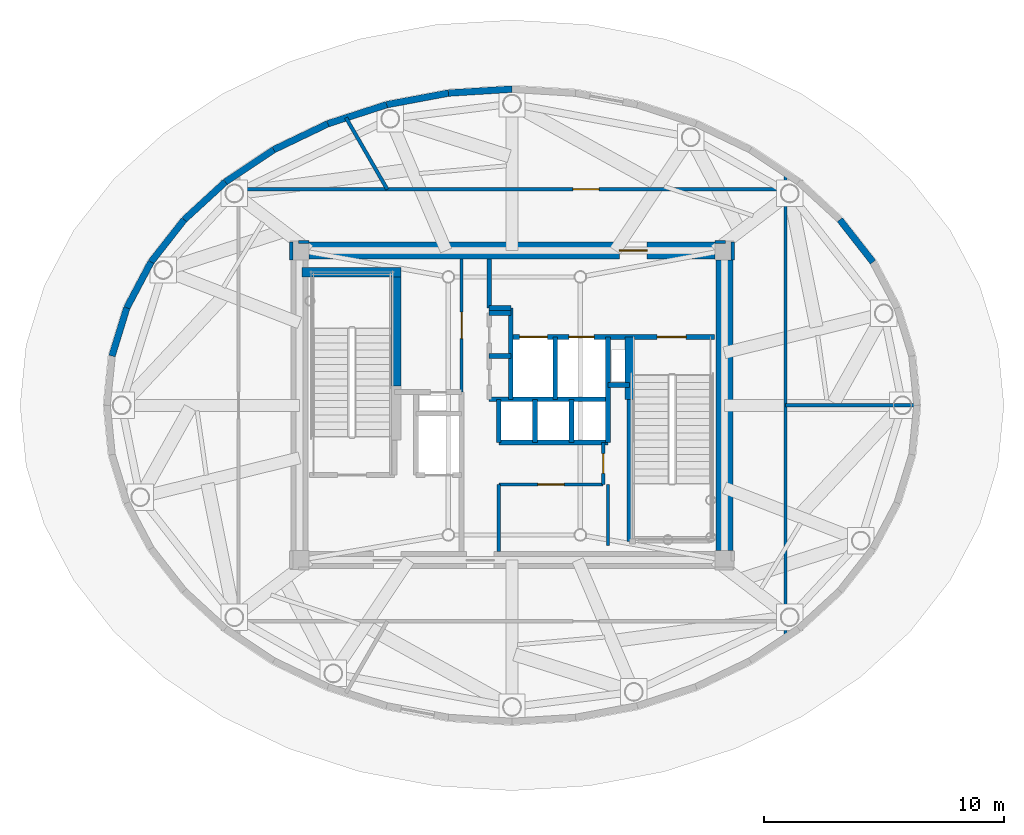
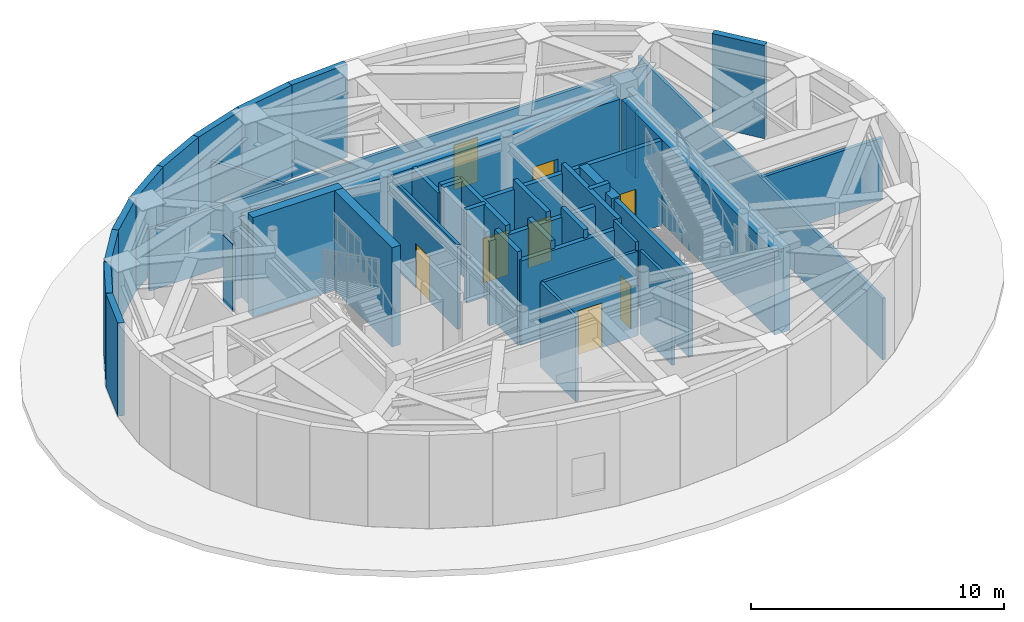
# One storey, part 4 of 11: 43 walls, 8 doors, 8 openings.
"""IFC4 building model written with IfcOpenShell, lengths in metres."""

from ifc_helpers import new_model, si_unit, direction, frame, frame_2d, origin, origin_2d, place, context, subcontext, project, spatial, rectangle, extrude, source, transform, mapped, material, layer, layer_set, type_object, element, fill, save


model = new_model("IFC4")

# Units and contexts
model_context = context("Model", 3, precision=1e-05, world=origin(), true_north=direction((0.0, 1.0)))
body_context = subcontext(model_context, "Body", "Model", "MODEL_VIEW")
ifc_project = project(units=[si_unit("LENGTHUNIT", "METRE"), si_unit("AREAUNIT", "SQUARE_METRE"), si_unit("VOLUMEUNIT", "CUBIC_METRE"), si_unit("PLANEANGLEUNIT", "RADIAN"), si_unit("MASSUNIT", "GRAM", prefix="KILO")], contexts=[model_context])

# Site, building, storey
site_placement = place(None, origin())
site = spatial("IfcSite", under=ifc_project, at=site_placement, CompositionType="ELEMENT")
building_placement = place(site_placement, origin())
building = spatial("IfcBuilding", under=site, at=building_placement, Name="Linh Dai School and Residence Tower", CompositionType="ELEMENT")
storey_placement = place(building_placement, frame((0.0, 0.0, 363.60009765625)))
storey = spatial("IfcBuildingStorey", under=building, at=storey_placement, Name="L90", CompositionType="ELEMENT", Elevation=363.60009765625)

# Walls
ifc_material_1 = material(Name="Concrete B45 (C35/45)", Category="concrete")
ifc_layer_1 = layer(ifc_material_1, 0.280029296875)
ifc_layer_set_1 = layer_set([ifc_layer_1], Name="Concrete B45 (C35/45)")
wall_type_1 = type_object("IfcWallType", Name="EW-DRM-280", PredefinedType="SOLIDWALL", material=ifc_layer_set_1)
wall_1_placement = place(storey_placement, frame((49.66162109375, 34.732421875, 0.0), z_axis=(0.0, 0.0, 1.0), x_axis=(0.61673743222, -0.787168939745, 0.0)))
element("IfcWall", 1, at=wall_1_placement, inside=storey, type_object=wall_type_1, Name="L90 Terracotta Exterior Wall 04", PredefinedType="SOLIDWALL", context=body_context, shape_type="SweptSolid", body=[
    extrude(rectangle(XDim=2.239013671875, YDim=0.280029296875, at=frame_2d((1.11962890625, 0.0))), origin(), (0.0, 0.0, 1.0), 4.5),
])
wall_2_placement = place(storey_placement, frame((33.35595703125, 40.01220703125, 0.0), z_axis=(0.0, 0.0, 1.0), x_axis=(0.998108826348, 0.061471707034, 0.0)))
element("IfcWall", 2, at=wall_2_placement, inside=storey, type_object=wall_type_1, Name="L90 Terracotta Exterior Wall 11", PredefinedType="SOLIDWALL", context=body_context, shape_type="SweptSolid", body=[
    extrude(rectangle(XDim=2.649169921875, YDim=0.280029296875, at=frame_2d((1.32470703125, 0.0))), origin(), (0.0, 0.0, 1.0), 4.5),
])
wall_3_placement = place(storey_placement, frame((30.777587890625, 39.52783203125, 0.0), z_axis=(0.0, 0.0, 1.0), x_axis=(0.982807863021, 0.184631266001, 0.0)))
element("IfcWall", 3, at=wall_3_placement, inside=storey, type_object=wall_type_1, Name="L90 Terracotta Exterior Wall 12", PredefinedType="SOLIDWALL", context=body_context, shape_type="SweptSolid", body=[
    extrude(rectangle(XDim=2.62353515625, YDim=0.280029296875, at=frame_2d((1.311767578125, 0.0))), origin(), (0.0, 0.0, 1.0), 4.5),
])
wall_4_placement = place(storey_placement, frame((28.328369140625, 38.734375, 0.0), z_axis=(0.0, 0.0, 1.0), x_axis=(0.951323551321, 0.308193933592, 0.0)))
element("IfcWall", 4, at=wall_4_placement, inside=storey, type_object=wall_type_1, Name="L90 Terracotta Exterior Wall 13", PredefinedType="SOLIDWALL", context=body_context, shape_type="SweptSolid", body=[
    extrude(rectangle(XDim=2.574462890625, YDim=0.280029296875, at=frame_2d((1.287109375, 0.0))), origin(), (0.0, 0.0, 1.0), 4.5),
])
wall_5_placement = place(storey_placement, frame((26.0693359375, 37.6513671875, 0.0), z_axis=(0.0, 0.0, 1.0), x_axis=(0.901729772184, 0.432300147996, 0.0)))
element("IfcWall", 5, at=wall_5_placement, inside=storey, type_object=wall_type_1, Name="L90 Terracotta Exterior Wall 14", PredefinedType="SOLIDWALL", context=body_context, shape_type="SweptSolid", body=[
    extrude(rectangle(XDim=2.505126953125, YDim=0.280029296875, at=frame_2d((1.25244140625, 0.0))), origin(), (0.0, 0.0, 1.0), 4.5),
])
wall_6_placement = place(storey_placement, frame((24.05615234375, 36.30615234375, 0.0), z_axis=(0.0, 0.0, 1.0), x_axis=(0.831460345356, 0.555584101735, 0.0)))
element("IfcWall", 6, at=wall_6_placement, inside=storey, type_object=wall_type_1, Name="L90 Terracotta Exterior Wall 15", PredefinedType="SOLIDWALL", context=body_context, shape_type="SweptSolid", body=[
    extrude(rectangle(XDim=2.421142578125, YDim=0.280029296875, at=frame_2d((1.21044921875, 0.0))), origin(), (0.0, 0.0, 1.0), 4.5),
])
wall_7_placement = place(storey_placement, frame((22.33837890625, 34.732421875, 0.0), z_axis=(0.0, 0.0, 1.0), x_axis=(0.737345511847, 0.675515800081, 0.0)))
element("IfcWall", 7, at=wall_7_placement, inside=storey, type_object=wall_type_1, Name="L90 Terracotta Exterior Wall 16", PredefinedType="SOLIDWALL", context=body_context, shape_type="SweptSolid", body=[
    extrude(rectangle(XDim=2.32958984375, YDim=0.280029296875, at=frame_2d((1.164794921875, 0.0))), origin(), (0.0, 0.0, 1.0), 4.5),
])
wall_8_placement = place(storey_placement, frame((20.95751953125, 32.969970703125, 0.0), z_axis=(0.0, 0.0, 1.0), x_axis=(0.61673743222, 0.787168939745, 0.0)))
element("IfcWall", 8, at=wall_8_placement, inside=storey, type_object=wall_type_1, Name="L90 Terracotta Exterior Wall 17", PredefinedType="SOLIDWALL", context=body_context, shape_type="SweptSolid", body=[
    extrude(rectangle(XDim=2.239013671875, YDim=0.280029296875, at=frame_2d((1.11962890625, 0.0))), origin(), (0.0, 0.0, 1.0), 4.5),
])
wall_9_placement = place(storey_placement, frame((19.947509765625, 31.06201171875, 0.0), z_axis=(0.0, 0.0, 1.0), x_axis=(0.467856543752, 0.883804420938, 0.0)))
element("IfcWall", 9, at=wall_9_placement, inside=storey, type_object=wall_type_1, Name="L90 Terracotta Exterior Wall 18", PredefinedType="SOLIDWALL", context=body_context, shape_type="SweptSolid", body=[
    extrude(rectangle(XDim=2.15869140625, YDim=0.280029296875, at=frame_2d((1.079345703125, 0.0))), origin(), (0.0, 0.0, 1.0), 4.5),
])
wall_10_placement = place(storey_placement, frame((19.331787109375, 29.0556640625, 0.0), z_axis=(0.0, 0.0, 1.0), x_axis=(0.293382762388, 0.955995059994, 0.0)))
element("IfcWall", 10, at=wall_10_placement, inside=storey, type_object=wall_type_1, Name="L90 Terracotta Exterior Wall 19", PredefinedType="SOLIDWALL", context=body_context, shape_type="SweptSolid", body=[
    extrude(rectangle(XDim=2.0986328125, YDim=0.280029296875, at=frame_2d((1.04931640625, 0.0))), origin(), (0.0, 0.0, 1.0), 4.5),
])

# Wall, opening, door
ifc_material_2 = material(Name="Autoclaved Aerated Concrete Blockwork", Category="masonry")
ifc_layer_2 = layer(ifc_material_2, 0.135009765625)
ifc_layer_set_2 = layer_set([ifc_layer_2], Name="Autoclaved Aerated Concrete Blockwork")
wall_type_2 = type_object("IfcWallType", Name="IW-CORR-135-EI90", PredefinedType="PARTITIONING", material=ifc_layer_set_2)
wall_11_placement = place(storey_placement, frame((24.60009765625, 36.0, 0.0), z_axis=(0.0, 0.0, 1.0), x_axis=(1.0, 0.0, 0.0)))
wall_11 = element("IfcWall", 11, at=wall_11_placement, inside=storey, type_object=wall_type_2, Name="L90 Interior Partition Wall 003", PredefinedType="PARTITIONING", context=body_context, shape_type="SweptSolid", body=[
    extrude(rectangle(XDim=22.7998046875, YDim=0.135009765625, at=frame_2d((11.39990234375, 0.0))), origin(), (0.0, 0.0, 1.0), 2.98486328125),
])
opening_1_placement = place(wall_11_placement, frame((13.931884765625, 0.0, 0.0)))
opening_1 = element("IfcOpeningElement", 12, at=opening_1_placement, cuts=wall_11, Name="Opening D07", PredefinedType="OPENING", context=body_context, shape_type="SweptSolid", body=[
    extrude(rectangle(XDim=1.10009765625, YDim=2.14990234375, at=origin_2d()), frame((0.550048828125, 0.07763671875, 1.074951171875), z_axis=(0.0, -1.0, 0.0), x_axis=(1.0, 0.0, 0.0)), (0.0, 0.0, 1.0), 0.155029296875),
])
ifc_material_3 = material(Name="Fire-Rated Louvred Steel Plant Door", Category="steel")
door_type_1 = type_object("IfcDoorType", Name="DR-PLT-1100x2150-FD60S", OperationType="NOTDEFINED", PredefinedType="DOOR", material=ifc_material_3)
shared_shape_1 = source(origin(), body_context, "Body", "SweptSolid", [
    extrude(rectangle(XDim=1.10009765625, YDim=2.14990234375, at=origin_2d()), frame((0.550048828125, 0.02490234375, 1.074951171875), z_axis=(0.0, -1.0, 0.0), x_axis=(1.0, 0.0, 0.0)), (0.0, 0.0, 1.0), 0.050048828125),
])
door_1_placement = place(opening_1_placement, origin())
door_1 = element("IfcDoor", 13, at=door_1_placement, inside=storey, type_object=door_type_1, Name="L90 Tuned Liquid Column Damper & Mass Chamber Door", OperationType="SINGLE_SWING_LEFT", OverallHeight=2.14990234375, OverallWidth=1.10009765625, PredefinedType="DOOR", context=body_context, shape_type="MappedRepresentation", body=[
    mapped(shared_shape_1, transform((0.0, 0.0, 0.0), x_axis=(1.0, 0.0, 0.0), y_axis=(0.0, 1.0, 0.0), z_axis=(0.0, 0.0, 1.0), scale=1.0)),
])
fill(opening_1, door_1)

wall_12_placement = place(storey_placement, frame((33.89990234375, 27.56005859375, 0.0), z_axis=(0.0, 0.0, 1.0), x_axis=(0.0, 1.0, 0.0)))
wall_12 = element("IfcWall", 14, at=wall_12_placement, inside=storey, type_object=wall_type_2, Name="L90 Interior Partition Wall 013", PredefinedType="PARTITIONING", context=body_context, shape_type="SweptSolid", body=[
    extrude(rectangle(XDim=5.5400390625, YDim=0.135009765625, at=frame_2d((2.77001953125, 0.0))), origin(), (0.0, 0.0, 1.0), 4.0849609375),
])
opening_2_placement = place(wall_12_placement, frame((2.219970703125, 0.0, 0.0)))
opening_2 = element("IfcOpeningElement", 15, at=opening_2_placement, cuts=wall_12, Name="Opening D07", PredefinedType="OPENING", context=body_context, shape_type="SweptSolid", body=[
    extrude(rectangle(XDim=1.10009765625, YDim=2.14990234375, at=origin_2d()), frame((0.550048828125, 0.07763671875, 1.074951171875), z_axis=(0.0, -1.0, 0.0), x_axis=(1.0, 0.0, 0.0)), (0.0, 0.0, 1.0), 0.155029296875),
])
door_2_placement = place(opening_2_placement, origin())
door_2 = element("IfcDoor", 16, at=door_2_placement, inside=storey, type_object=door_type_1, Name="L90 High-Zone Housekeeping Suite Door", OperationType="SINGLE_SWING_LEFT", OverallHeight=2.14990234375, OverallWidth=1.10009765625, PredefinedType="DOOR", context=body_context, shape_type="MappedRepresentation", body=[
    mapped(shared_shape_1, transform((0.0, 0.0, 0.0), x_axis=(1.0, 0.0, 0.0), y_axis=(0.0, 1.0, 0.0), z_axis=(0.0, 0.0, 1.0), scale=1.0)),
])
fill(opening_2, door_2)

# Wall
wall_13_placement = place(storey_placement, frame((35.449951171875, 20.89990234375, 0.0), z_axis=(0.0, 0.0, 1.0), x_axis=(0.0, 1.0, 0.0)))
element("IfcWall", 17, at=wall_13_placement, inside=storey, type_object=wall_type_2, Name="L90 Interior Partition Wall 020", PredefinedType="PARTITIONING", context=body_context, shape_type="SweptSolid", body=[
    extrude(rectangle(XDim=2.800048828125, YDim=0.135009765625, at=frame_2d((1.39990234375, 0.0))), origin(), (0.0, 0.0, 1.0), 4.0849609375),
])

# Wall, opening, door
wall_14_placement = place(storey_placement, frame((35.449951171875, 23.699951171875, 0.0), z_axis=(0.0, 0.0, 1.0), x_axis=(1.0, 0.0, 0.0)))
wall_14 = element("IfcWall", 18, at=wall_14_placement, inside=storey, type_object=wall_type_2, Name="L90 Interior Partition Wall 021", PredefinedType="PARTITIONING", context=body_context, shape_type="SweptSolid", body=[
    extrude(rectangle(XDim=4.35009765625, YDim=0.135009765625, at=frame_2d((2.175048828125, 0.0))), origin(), (0.0, 0.0, 1.0), 4.0849609375),
])
opening_3_placement = place(wall_14_placement, frame((1.625, 0.0, 0.0)))
opening_3 = element("IfcOpeningElement", 19, at=opening_3_placement, cuts=wall_14, Name="Opening D07", PredefinedType="OPENING", context=body_context, shape_type="SweptSolid", body=[
    extrude(rectangle(XDim=1.10009765625, YDim=2.14990234375, at=origin_2d()), frame((0.550048828125, 0.07763671875, 1.074951171875), z_axis=(0.0, -1.0, 0.0), x_axis=(1.0, 0.0, 0.0)), (0.0, 0.0, 1.0), 0.155029296875),
])
door_3_placement = place(opening_3_placement, origin())
door_3 = element("IfcDoor", 20, at=door_3_placement, inside=storey, type_object=door_type_1, Name="L90 Tenant Metering and BMS Room Door", OperationType="SINGLE_SWING_RIGHT", OverallHeight=2.14990234375, OverallWidth=1.10009765625, PredefinedType="DOOR", context=body_context, shape_type="MappedRepresentation", body=[
    mapped(shared_shape_1, transform((0.0, 0.0, 0.0), x_axis=(1.0, 0.0, 0.0), y_axis=(0.0, 1.0, 0.0), z_axis=(0.0, 0.0, 1.0), scale=1.0)),
])
fill(opening_3, door_3)

wall_15_placement = place(storey_placement, frame((39.800048828125, 23.699951171875, 0.0), z_axis=(0.0, 0.0, 1.0), x_axis=(0.0, 1.0, 0.0)))
wall_15 = element("IfcWall", 21, at=wall_15_placement, inside=storey, type_object=wall_type_2, Name="L90 Interior Partition Wall 029", PredefinedType="PARTITIONING", context=body_context, shape_type="SweptSolid", body=[
    extrude(rectangle(XDim=1.75, YDim=0.135009765625, at=frame_2d((0.875, 0.0))), origin(), (0.0, 0.0, 1.0), 4.5),
])
opening_4_placement = place(wall_15_placement, frame((0.465087890625, 0.0, 0.0)))
opening_4 = element("IfcOpeningElement", 22, at=opening_4_placement, cuts=wall_15, Name="Opening D06", PredefinedType="OPENING", context=body_context, shape_type="SweptSolid", body=[
    extrude(rectangle(XDim=0.820068359375, YDim=2.10009765625, at=origin_2d()), frame((0.41015625, 0.07763671875, 1.050048828125), z_axis=(0.0, -1.0, 0.0), x_axis=(1.0, 0.0, 0.0)), (0.0, 0.0, 1.0), 0.155029296875),
])
ifc_material_4 = material(Name="Moisture-Resistant Timber Bathroom Door", Category="wood")
door_type_2 = type_object("IfcDoorType", Name="DR-WET-820x2100", OperationType="NOTDEFINED", PredefinedType="DOOR", material=ifc_material_4)
shared_shape_2 = source(origin(), body_context, "Body", "SweptSolid", [
    extrude(rectangle(XDim=0.820068359375, YDim=2.10009765625, at=origin_2d()), frame((0.41015625, 0.02490234375, 1.050048828125), z_axis=(0.0, -1.0, 0.0), x_axis=(1.0, 0.0, 0.0)), (0.0, 0.0, 1.0), 0.050048828125),
])
door_4_placement = place(opening_4_placement, origin())
door_4 = element("IfcDoor", 23, at=door_4_placement, inside=storey, type_object=door_type_2, Name="L90 Core Housekeeping Store Door", OperationType="SINGLE_SWING_RIGHT", OverallHeight=2.10009765625, OverallWidth=0.820068359375, PredefinedType="DOOR", context=body_context, shape_type="MappedRepresentation", body=[
    mapped(shared_shape_2, transform((0.0, 0.0, 0.0), x_axis=(1.0, 0.0, 0.0), y_axis=(0.0, 1.0, 0.0), z_axis=(0.0, 0.0, 1.0), scale=1.0)),
])
fill(opening_4, door_4)

# Walls
wall_16_placement = place(storey_placement, frame((47.39990234375, 17.324462890625, 0.0), z_axis=(0.0, 0.0, 1.0), x_axis=(0.0, 1.0, 0.0)))
element("IfcWall", 24, at=wall_16_placement, inside=storey, type_object=wall_type_2, Name="L90 Interior Partition Wall 034", PredefinedType="PARTITIONING", context=body_context, shape_type="SweptSolid", body=[
    extrude(rectangle(XDim=19.35107421875, YDim=0.135009765625, at=frame_2d((9.675537109375, 0.0))), origin(), (0.0, 0.0, 1.0), 2.98486328125),
])
wall_17_placement = place(storey_placement, frame((40.0, 23.699951171875, 0.0), z_axis=(0.0, 0.0, 1.0), x_axis=(0.0, -1.0, 0.0)))
element("IfcWall", 25, at=wall_17_placement, inside=storey, type_object=wall_type_2, Name="L90 Interior Partition Wall 037", PredefinedType="PARTITIONING", context=body_context, shape_type="SweptSolid", body=[
    extrude(rectangle(XDim=2.5400390625, YDim=0.135009765625, at=frame_2d((1.27001953125, 0.0))), origin(), (0.0, 0.0, 1.0), 4.034912109375),
])
for number, where, z_axis, x_axis, name in (
    (26, (26.800048828125, 33.800048828125, 0.0), (0.0, 0.0, 1.0), (0.0, -1.0, 0.0), "L90 Interior Partition Wall 038"),
    (27, (45.199951171875, 33.06005859375, 0.0), (0.0, 0.0, 1.0), (0.0, 1.0, 0.0), "L90 Interior Partition Wall 043"),
):
    element("IfcWall", number, at=place(storey_placement, frame(where, z_axis=z_axis, x_axis=x_axis)), inside=storey, type_object=wall_type_2, Name=name, PredefinedType="PARTITIONING", context=body_context, shape_type="SweptSolid", body=[
        extrude(rectangle(XDim=0.739990234375, YDim=0.135009765625, at=frame_2d((0.3701171875, 0.0))), origin(), (0.0, 0.0, 1.0), 3.284912109375),
    ])
for number, where, z_axis, x_axis, name in (
    (28, (44.892578125, 33.800048828125, 0.0), (0.0, 0.0, 1.0), (-1.0, 0.0, 0.0), "L90 Interior Partition Wall 044"),
    (29, (27.5400390625, 33.800048828125, 0.0), (0.0, 0.0, 1.0), (-1.0, 0.0, 0.0), "L90 Interior Partition Wall 045"),
):
    element("IfcWall", number, at=place(storey_placement, frame(where, z_axis=z_axis, x_axis=x_axis)), inside=storey, type_object=wall_type_2, Name=name, PredefinedType="PARTITIONING", context=body_context, shape_type="SweptSolid", body=[
        extrude(rectangle(XDim=0.4326171875, YDim=0.135009765625, at=frame_2d((0.21630859375, 0.0))), origin(), (0.0, 0.0, 1.0), 3.284912109375),
    ])
ifc_layer_3 = layer(ifc_material_2, 0.14990234375)
ifc_layer_set_3 = layer_set([ifc_layer_3], Name="Autoclaved Aerated Concrete Blockwork")
wall_type_3 = type_object("IfcWallType", Name="IW-SCH-150-EI60", PredefinedType="PARTITIONING", material=ifc_layer_set_3)
wall_18_placement = place(storey_placement, frame((29.081298828125, 38.9833984375, 0.0), z_axis=(0.0, 0.0, 1.0), x_axis=(0.500041441558, -0.866001476168, 0.0)))
element("IfcWall", 30, at=wall_18_placement, inside=storey, type_object=wall_type_3, Name="L90 Interior Partition Wall 006", PredefinedType="PARTITIONING", context=body_context, shape_type="SweptSolid", body=[
    extrude(rectangle(XDim=3.445068359375, YDim=0.14990234375, at=frame_2d((1.72265625, 0.0))), origin(), (0.0, 0.0, 1.0), 2.98486328125),
])
wall_19_placement = place(storey_placement, frame((47.39990234375, 27.0, 0.0), z_axis=(0.0, 0.0, 1.0), x_axis=(1.0, 0.0, 0.0)))
element("IfcWall", 31, at=wall_19_placement, inside=storey, type_object=wall_type_3, Name="L90 Interior Partition Wall 035", PredefinedType="PARTITIONING", context=body_context, shape_type="SweptSolid", body=[
    extrude(rectangle(XDim=5.47998046875, YDim=0.14990234375, at=frame_2d((2.739990234375, 0.0))), origin(), (0.0, 0.0, 1.0), 2.98486328125),
])
ifc_layer_4 = layer(ifc_material_1, 0.199951171875)
ifc_layer_set_4 = layer_set([ifc_layer_4], Name="Concrete B45 (C35/45)")
wall_type_4 = type_object("IfcWallType", Name="IW-SHAFT-200-EI120", PredefinedType="PARTITIONING", material=ifc_layer_set_4)
wall_20_placement = place(storey_placement, frame((35.050048828125, 27.25, 0.0), z_axis=(0.0, 0.0, 1.0), x_axis=(1.0, 0.0, 0.0)))
element("IfcWall", 32, at=wall_20_placement, inside=storey, type_object=wall_type_4, Name="L90 Interior Partition Wall 015", PredefinedType="PARTITIONING", context=body_context, shape_type="SweptSolid", body=[
    extrude(rectangle(XDim=4.949951171875, YDim=0.199951171875, at=frame_2d((2.47509765625, 0.0))), origin(), (0.0, 0.0, 1.0), 4.0849609375),
])
for number, where, z_axis, x_axis, name in (
    (33, (35.050048828125, 29.050048828125, 0.0), (0.0, 0.0, 1.0), (1.0, 0.0, 0.0), "L90 Interior Partition Wall 016"),
    (34, (35.050048828125, 30.85009765625, 0.0), (0.0, 0.0, 1.0), (1.0, 0.0, 0.0), "L90 Interior Partition Wall 017"),
):
    element("IfcWall", number, at=place(storey_placement, frame(where, z_axis=z_axis, x_axis=x_axis)), inside=storey, type_object=wall_type_4, Name=name, PredefinedType="PARTITIONING", context=body_context, shape_type="SweptSolid", body=[
        extrude(rectangle(XDim=0.89990234375, YDim=0.199951171875, at=frame_2d((0.449951171875, 0.0))), origin(), (0.0, 0.0, 1.0), 4.5),
    ])
wall_21_placement = place(storey_placement, frame((35.050048828125, 31.050048828125, 0.0), z_axis=(0.0, 0.0, 1.0), x_axis=(0.0, 1.0, 0.0)))
element("IfcWall", 35, at=wall_21_placement, inside=storey, type_object=wall_type_4, Name="L90 Interior Partition Wall 018", PredefinedType="PARTITIONING", context=body_context, shape_type="SweptSolid", body=[
    extrude(rectangle(XDim=2.050048828125, YDim=0.199951171875, at=frame_2d((1.02490234375, 0.0))), origin(), (0.0, 0.0, 1.0), 4.0849609375),
])
wall_22_placement = place(storey_placement, frame((35.050048828125, 31.050048828125, 0.0), z_axis=(0.0, 0.0, 1.0), x_axis=(1.0, 0.0, 0.0)))
element("IfcWall", 36, at=wall_22_placement, inside=storey, type_object=wall_type_4, Name="L90 Interior Partition Wall 019", PredefinedType="PARTITIONING", context=body_context, shape_type="SweptSolid", body=[
    extrude(rectangle(XDim=0.89990234375, YDim=0.199951171875, at=frame_2d((0.449951171875, 0.0))), origin(), (0.0, 0.0, 1.0), 4.5),
])
wall_23_placement = place(storey_placement, frame((35.449951171875, 25.449951171875, 0.0), z_axis=(0.0, 0.0, 1.0), x_axis=(0.0, 1.0, 0.0)))
element("IfcWall", 37, at=wall_23_placement, inside=storey, type_object=wall_type_4, Name="L90 Interior Partition Wall 022", PredefinedType="PARTITIONING", context=body_context, shape_type="SweptSolid", body=[
    extrude(rectangle(XDim=1.800048828125, YDim=0.199951171875, at=frame_2d((0.89990234375, 0.0))), origin(), (0.0, 0.0, 1.0), 4.5),
])
wall_24_placement = place(storey_placement, frame((35.449951171875, 25.449951171875, 0.0), z_axis=(0.0, 0.0, 1.0), x_axis=(1.0, 0.0, 0.0)))
element("IfcWall", 38, at=wall_24_placement, inside=storey, type_object=wall_type_4, Name="L90 Interior Partition Wall 023", PredefinedType="PARTITIONING", context=body_context, shape_type="SweptSolid", body=[
    extrude(rectangle(XDim=4.550048828125, YDim=0.199951171875, at=frame_2d((2.27490234375, 0.0))), origin(), (0.0, 0.0, 1.0), 4.0849609375),
])
wall_25_placement = place(storey_placement, frame((35.949951171875, 27.25, 0.0), z_axis=(0.0, 0.0, 1.0), x_axis=(0.0, 1.0, 0.0)))
element("IfcWall", 39, at=wall_25_placement, inside=storey, type_object=wall_type_4, Name="L90 Interior Partition Wall 024", PredefinedType="PARTITIONING", context=body_context, shape_type="SweptSolid", body=[
    extrude(rectangle(XDim=3.800048828125, YDim=0.199951171875, at=frame_2d((1.89990234375, 0.0))), origin(), (0.0, 0.0, 1.0), 4.5),
])

# Wall, openings, doors
wall_26_placement = place(storey_placement, frame((35.949951171875, 29.85009765625, 0.0), z_axis=(0.0, 0.0, 1.0), x_axis=(1.0, 0.0, 0.0)))
wall_26 = element("IfcWall", 40, at=wall_26_placement, inside=storey, type_object=wall_type_4, Name="L90 Interior Partition Wall 025", PredefinedType="PARTITIONING", context=body_context, shape_type="SweptSolid", body=[
    extrude(rectangle(XDim=8.489990234375, YDim=0.199951171875, at=frame_2d((4.2451171875, 0.0))), origin(), (0.0, 0.0, 1.0), 4.0849609375),
])
opening_5_placement = place(wall_26_placement, frame((6.10009765625, 0.0, 0.0)))
opening_5 = element("IfcOpeningElement", 41, at=opening_5_placement, cuts=wall_26, Name="Opening D01", PredefinedType="OPENING", context=body_context, shape_type="SweptSolid", body=[
    extrude(rectangle(XDim=1.199951171875, YDim=2.14990234375, at=origin_2d()), frame((0.60009765625, 0.10986328125, 1.074951171875), z_axis=(0.0, -1.0, 0.0), x_axis=(1.0, 0.0, 0.0)), (0.0, 0.0, 1.0), 0.219970703125),
])
opening_6_placement = place(wall_26_placement, frame((0.3701171875, 0.0, 0.0)))
opening_6 = element("IfcOpeningElement", 42, at=opening_6_placement, cuts=wall_26, Name="Opening LD-FF1", PredefinedType="OPENING", context=body_context, shape_type="SweptSolid", body=[
    extrude(rectangle(XDim=1.14990234375, YDim=2.14990234375, at=origin_2d()), frame((0.574951171875, 0.10986328125, 1.074951171875), z_axis=(0.0, -1.0, 0.0), x_axis=(1.0, 0.0, 0.0)), (0.0, 0.0, 1.0), 0.219970703125),
])
opening_7_placement = place(wall_26_placement, frame((2.425048828125, 0.0, 0.0)))
opening_7 = element("IfcOpeningElement", 43, at=opening_7_placement, cuts=wall_26, Name="Opening LD-SV1", PredefinedType="OPENING", context=body_context, shape_type="SweptSolid", body=[
    extrude(rectangle(XDim=1.050048828125, YDim=2.14990234375, at=origin_2d()), frame((0.52490234375, 0.10986328125, 1.074951171875), z_axis=(0.0, -1.0, 0.0), x_axis=(1.0, 0.0, 0.0)), (0.0, 0.0, 1.0), 0.219970703125),
])
ifc_material_5 = material(Name="Fire-Rated Steel Door Leaf", Category="steel")
door_type_3 = type_object("IfcDoorType", Name="DR-STAIR-1200x2150-FD90S", OperationType="NOTDEFINED", PredefinedType="DOOR", material=ifc_material_5)
shared_shape_3 = source(origin(), body_context, "Body", "SweptSolid", [
    extrude(rectangle(XDim=1.199951171875, YDim=2.14990234375, at=origin_2d()), frame((0.60009765625, 0.02490234375, 1.074951171875), z_axis=(0.0, -1.0, 0.0), x_axis=(1.0, 0.0, 0.0)), (0.0, 0.0, 1.0), 0.050048828125),
])
door_5_placement = place(opening_5_placement, origin())
door_5 = element("IfcDoor", 44, at=door_5_placement, inside=storey, type_object=door_type_3, Name="L90 Core Smokeproof Exit Stair ST2 Door", OperationType="SINGLE_SWING_LEFT", OverallHeight=2.14990234375, OverallWidth=1.199951171875, PredefinedType="DOOR", context=body_context, shape_type="MappedRepresentation", body=[
    mapped(shared_shape_3, transform((0.0, 0.0, 0.0), x_axis=(1.0, 0.0, 0.0), y_axis=(0.0, 1.0, 0.0), z_axis=(0.0, 0.0, 1.0), scale=1.0)),
])
fill(opening_5, door_5)
ifc_material_6 = material(Name="Fire-Rated Stainless Steel Firefighting Lift Door", Category="steel")
door_type_4 = type_object("IfcDoorType", Name="DR-LD-FF-1150x2150-FD120", OperationType="DOUBLE_DOOR_SLIDING", PredefinedType="USERDEFINED", material=ifc_material_6)
shared_shape_4 = source(origin(), body_context, "Body", "SweptSolid", [
    extrude(rectangle(XDim=1.14990234375, YDim=2.14990234375, at=origin_2d()), frame((0.574951171875, 0.02490234375, 1.074951171875), z_axis=(0.0, -1.0, 0.0), x_axis=(1.0, 0.0, 0.0)), (0.0, 0.0, 1.0), 0.050048828125),
])
door_6_placement = place(opening_6_placement, origin())
door_6 = element("IfcDoor", 45, at=door_6_placement, inside=storey, type_object=door_type_4, Name="L90 Lift FF1 Sliding Landing Door", ObjectType="LANDING DOOR", OperationType="DOUBLE_DOOR_SLIDING", OverallHeight=2.14990234375, OverallWidth=1.14990234375, PredefinedType="USERDEFINED", context=body_context, shape_type="MappedRepresentation", body=[
    mapped(shared_shape_4, transform((0.0, 0.0, 0.0), x_axis=(1.0, 0.0, 0.0), y_axis=(0.0, 1.0, 0.0), z_axis=(0.0, 0.0, 1.0), scale=1.0)),
])
fill(opening_6, door_6)
ifc_material_7 = material(Name="Brushed Stainless Steel Lift Landing Door", Category="steel")
door_type_5 = type_object("IfcDoorType", Name="DR-LD-PASS-1050x2150", OperationType="DOUBLE_DOOR_SLIDING", PredefinedType="USERDEFINED", material=ifc_material_7)
shared_shape_5 = source(origin(), body_context, "Body", "SweptSolid", [
    extrude(rectangle(XDim=1.050048828125, YDim=2.14990234375, at=origin_2d()), frame((0.52490234375, 0.02490234375, 1.074951171875), z_axis=(0.0, -1.0, 0.0), x_axis=(1.0, 0.0, 0.0)), (0.0, 0.0, 1.0), 0.050048828125),
])
door_7_placement = place(opening_7_placement, origin())
door_7 = element("IfcDoor", 46, at=door_7_placement, inside=storey, type_object=door_type_5, Name="L90 Lift SV1 Sliding Landing Door", ObjectType="LANDING DOOR", OperationType="DOUBLE_DOOR_SLIDING", OverallHeight=2.14990234375, OverallWidth=1.050048828125, PredefinedType="USERDEFINED", context=body_context, shape_type="MappedRepresentation", body=[
    mapped(shared_shape_5, transform((0.0, 0.0, 0.0), x_axis=(1.0, 0.0, 0.0), y_axis=(0.0, 1.0, 0.0), z_axis=(0.0, 0.0, 1.0), scale=1.0)),
])
fill(opening_7, door_7)

# Walls
wall_27_placement = place(storey_placement, frame((36.9599609375, 25.449951171875, 0.0), z_axis=(0.0, 0.0, 1.0), x_axis=(0.0, 1.0, 0.0)))
element("IfcWall", 47, at=wall_27_placement, inside=storey, type_object=wall_type_4, Name="L90 Interior Partition Wall 026", PredefinedType="PARTITIONING", context=body_context, shape_type="SweptSolid", body=[
    extrude(rectangle(XDim=1.800048828125, YDim=0.199951171875, at=frame_2d((0.89990234375, 0.0))), origin(), (0.0, 0.0, 1.0), 4.5),
])
wall_28_placement = place(storey_placement, frame((37.800048828125, 27.25, 0.0), z_axis=(0.0, 0.0, 1.0), x_axis=(0.0, 1.0, 0.0)))
element("IfcWall", 48, at=wall_28_placement, inside=storey, type_object=wall_type_4, Name="L90 Interior Partition Wall 027", PredefinedType="PARTITIONING", context=body_context, shape_type="SweptSolid", body=[
    extrude(rectangle(XDim=2.60009765625, YDim=0.199951171875, at=frame_2d((1.300048828125, 0.0))), origin(), (0.0, 0.0, 1.0), 4.5),
])
wall_29_placement = place(storey_placement, frame((38.47998046875, 25.449951171875, 0.0), z_axis=(0.0, 0.0, 1.0), x_axis=(0.0, 1.0, 0.0)))
element("IfcWall", 49, at=wall_29_placement, inside=storey, type_object=wall_type_4, Name="L90 Interior Partition Wall 028", PredefinedType="PARTITIONING", context=body_context, shape_type="SweptSolid", body=[
    extrude(rectangle(XDim=1.800048828125, YDim=0.199951171875, at=frame_2d((0.89990234375, 0.0))), origin(), (0.0, 0.0, 1.0), 4.5),
])
wall_30_placement = place(storey_placement, frame((40.0, 25.449951171875, 0.0), z_axis=(0.0, 0.0, 1.0), x_axis=(0.0, 1.0, 0.0)))
element("IfcWall", 50, at=wall_30_placement, inside=storey, type_object=wall_type_4, Name="L90 Interior Partition Wall 030", PredefinedType="PARTITIONING", context=body_context, shape_type="SweptSolid", body=[
    extrude(rectangle(XDim=4.400146484375, YDim=0.199951171875, at=frame_2d((2.2001953125, 0.0))), origin(), (0.0, 0.0, 1.0), 4.5),
])
wall_31_placement = place(storey_placement, frame((40.0, 27.85009765625, 0.0), z_axis=(0.0, 0.0, 1.0), x_axis=(1.0, 0.0, 0.0)))
element("IfcWall", 51, at=wall_31_placement, inside=storey, type_object=wall_type_4, Name="L90 Interior Partition Wall 031", PredefinedType="PARTITIONING", context=body_context, shape_type="SweptSolid", body=[
    extrude(rectangle(XDim=0.89990234375, YDim=0.199951171875, at=frame_2d((0.449951171875, 0.0))), origin(), (0.0, 0.0, 1.0), 4.5),
])
wall_32_placement = place(storey_placement, frame((40.89990234375, 21.330078125, 0.0), z_axis=(0.0, 0.0, 1.0), x_axis=(0.0, 1.0, 0.0)))
element("IfcWall", 52, at=wall_32_placement, inside=storey, type_object=wall_type_4, Name="L90 Interior Partition Wall 032", PredefinedType="PARTITIONING", context=body_context, shape_type="SweptSolid", body=[
    extrude(rectangle(XDim=5.909912109375, YDim=0.199951171875, at=frame_2d((2.955078125, 0.0))), origin(), (0.0, 0.0, 1.0), 4.034912109375),
])
ifc_layer_5 = layer(ifc_material_1, 0.39990234375)
ifc_layer_set_5 = layer_set([ifc_layer_5], Name="Concrete B45 (C35/45)")
wall_type_5 = type_object("IfcWallType", Name="WL-CORE400", PredefinedType="SHEAR", material=ifc_layer_set_5)
wall_33_placement = place(storey_placement, frame((31.179931640625, 27.800048828125, 0.0), z_axis=(0.0, 0.0, 1.0), x_axis=(0.0, 1.0, 0.0)))
element("IfcWall", 53, at=wall_33_placement, inside=storey, type_object=wall_type_5, Name="L90 Core Stair ST1 Bearing Wall E", PredefinedType="SHEAR", context=body_context, shape_type="SweptSolid", body=[
    extrude(rectangle(XDim=4.75, YDim=0.39990234375, at=frame_2d((2.375, 0.0))), origin(), (0.0, 0.0, 1.0), 4.7998046875),
])
wall_34_placement = place(storey_placement, frame((27.25, 32.550048828125, 0.0), z_axis=(0.0, 0.0, 1.0), x_axis=(1.0, 0.0, 0.0)))
element("IfcWall", 54, at=wall_34_placement, inside=storey, type_object=wall_type_5, Name="L90 Core Stair ST1 Bearing Wall N", PredefinedType="SHEAR", context=body_context, shape_type="SweptSolid", body=[
    extrude(rectangle(XDim=4.1298828125, YDim=0.39990234375, at=frame_2d((2.06494140625, 0.0))), origin(), (0.0, 0.0, 1.0), 4.7998046875),
])
wall_35_placement = place(storey_placement, frame((40.89990234375, 27.25, 0.0), z_axis=(0.0, 0.0, 1.0), x_axis=(0.0, 1.0, 0.0)))
element("IfcWall", 55, at=wall_35_placement, inside=storey, type_object=wall_type_5, Name="L90 Internal Core Shear Wall IE", PredefinedType="SHEAR", context=body_context, shape_type="SweptSolid", body=[
    extrude(rectangle(XDim=2.60009765625, YDim=0.39990234375, at=frame_2d((1.300048828125, 0.0))), origin(), (0.0, 0.0, 1.0), 4.099853515625),
])

# Wall, opening, door
ifc_layer_6 = layer(ifc_material_1, 0.699951171875)
ifc_layer_set_6 = layer_set([ifc_layer_6], Name="Concrete B45 (C35/45)")
wall_type_6 = type_object("IfcWallType", Name="WL-CORE700", PredefinedType="SHEAR", material=ifc_layer_set_6)
wall_36_placement = place(storey_placement, frame((27.550048828125, 33.449951171875, 0.0), z_axis=(0.0, 0.0, 1.0), x_axis=(1.0, 0.0, 0.0)))
wall_36 = element("IfcWall", 56, at=wall_36_placement, inside=storey, type_object=wall_type_6, Name="L90 Central Core Shear Wall N", PredefinedType="SHEAR", context=body_context, shape_type="SweptSolid", body=[
    extrude(rectangle(XDim=16.89990234375, YDim=0.699951171875, at=frame_2d((8.449951171875, 0.0))), origin(), (0.0, 0.0, 1.0), 4.0498046875),
])
opening_8_placement = place(wall_36_placement, frame((12.925048828125, 0.0, 0.0)))
opening_8 = element("IfcOpeningElement", 57, at=opening_8_placement, cuts=wall_36, Name="Opening D02", PredefinedType="OPENING", context=body_context, shape_type="SweptSolid", body=[
    extrude(rectangle(XDim=1.14990234375, YDim=2.14990234375, at=origin_2d()), frame((0.574951171875, 0.35986328125, 1.074951171875), z_axis=(0.0, -1.0, 0.0), x_axis=(1.0, 0.0, 0.0)), (0.0, 0.0, 1.0), 0.719970703125),
])
ifc_material_8 = material(Name="Fire-Rated Glazed Steel Lobby Door", Category="steel")
door_type_6 = type_object("IfcDoorType", Name="DR-LOBBY-1150x2150-FD90S", OperationType="NOTDEFINED", PredefinedType="DOOR", material=ifc_material_8)
shared_shape_6 = source(origin(), body_context, "Body", "SweptSolid", [
    extrude(rectangle(XDim=1.14990234375, YDim=2.14990234375, at=origin_2d()), frame((0.574951171875, 0.02490234375, 1.074951171875), z_axis=(0.0, -1.0, 0.0), x_axis=(1.0, 0.0, 0.0)), (0.0, 0.0, 1.0), 0.050048828125),
])
door_8_placement = place(opening_8_placement, origin())
door_8 = element("IfcDoor", 58, at=door_8_placement, inside=storey, type_object=door_type_6, Name="L90 Firefighting Lobby Door", OperationType="SINGLE_SWING_RIGHT", OverallHeight=2.14990234375, OverallWidth=1.14990234375, PredefinedType="DOOR", context=body_context, shape_type="MappedRepresentation", body=[
    mapped(shared_shape_6, transform((0.0, 0.0, 0.0), x_axis=(1.0, 0.0, 0.0), y_axis=(0.0, 1.0, 0.0), z_axis=(0.0, 0.0, 1.0), scale=1.0)),
])
fill(opening_8, door_8)

# Wall
wall_37_placement = place(storey_placement, frame((44.85009765625, 33.050048828125, 0.0), z_axis=(0.0, 0.0, 1.0), x_axis=(0.0, -1.0, 0.0)))
element("IfcWall", 59, at=wall_37_placement, inside=storey, type_object=wall_type_6, Name="L90 Central Core Shear Wall E", PredefinedType="SHEAR", context=body_context, shape_type="SweptSolid", body=[
    extrude(rectangle(XDim=12.10009765625, YDim=0.699951171875, at=frame_2d((6.050048828125, 0.0))), origin(), (0.0, 0.0, 1.0), 4.0498046875),
])

save(model, "model.ifc")
